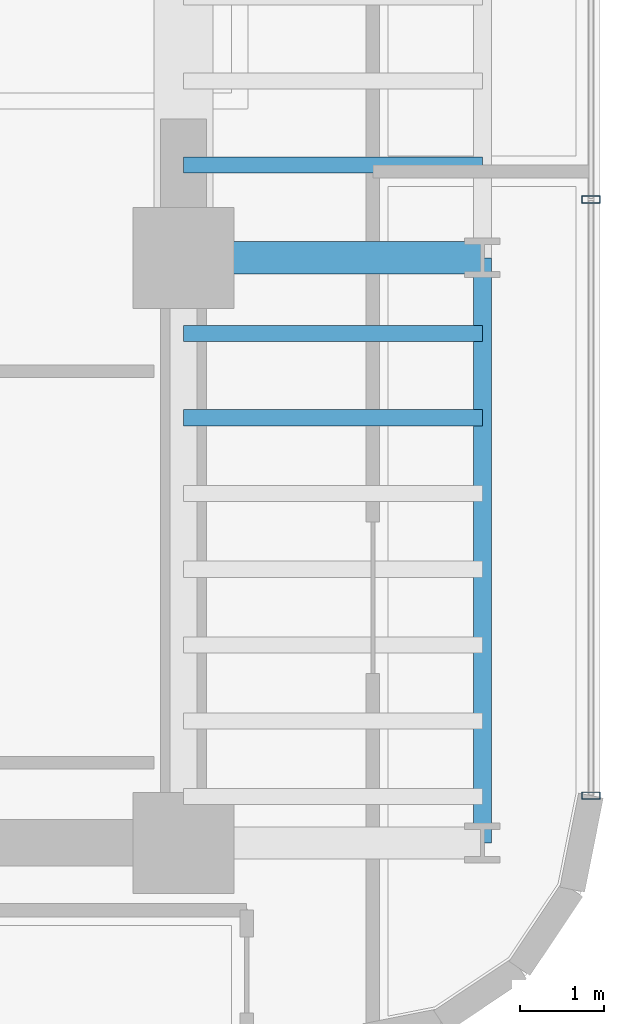
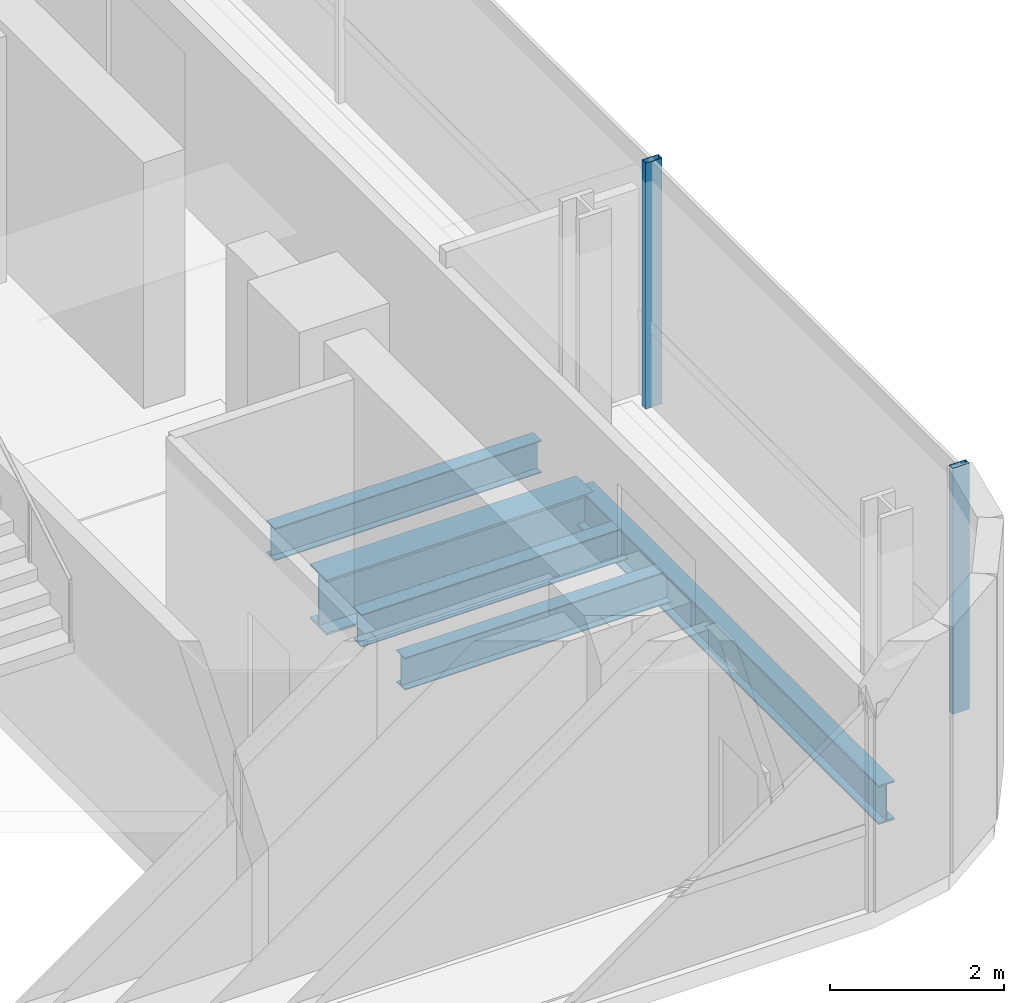
# One storey, part 14 of 34: 5 beams, 2 members, 1 element without a shape of its own.
"""IFC4 building model written with IfcOpenShell, lengths in metres."""

from ifc_helpers import new_model, si_unit, direction, frame, origin, origin_2d, place, context, subcontext, project, spatial, hollow_rectangle, i_section, extrude, source, transform, mapped, material, material_profile, profile_set, type_object, element, aggregate, save


model = new_model("IFC4")

# Units and contexts
model_context = context("Model", 3, precision=1e-05, world=origin(), true_north=direction((0.0, 1.0)))
body_context = subcontext(model_context, "Body", "Model", "MODEL_VIEW")
ifc_project = project(units=[si_unit("LENGTHUNIT", "METRE"), si_unit("AREAUNIT", "SQUARE_METRE"), si_unit("VOLUMEUNIT", "CUBIC_METRE"), si_unit("PLANEANGLEUNIT", "RADIAN"), si_unit("MASSUNIT", "GRAM", prefix="KILO")], contexts=[model_context])

# Site, building, storey
site_placement = place(None, origin())
site = spatial("IfcSite", under=ifc_project, at=site_placement, CompositionType="ELEMENT")
building_placement = place(site_placement, origin())
building = spatial("IfcBuilding", under=site, at=building_placement, Name="Valdorenza Pilgrim Sanctuary Tower", CompositionType="ELEMENT")
storey_placement = place(building_placement, frame((0.0, 0.0, 164.89990234375)))
storey = spatial("IfcBuildingStorey", under=building, at=storey_placement, Name="L42", CompositionType="ELEMENT", Elevation=164.89990234375)

# Beams
ifc_material_1 = material(Name="Steel ASTM A992 Grade 50", Category="steel")
ifc_material_profile_1 = material_profile(ifc_material_1, i_section(OverallWidth=0.214111328125, OverallDepth=0.549072265625, WebThickness=0.0146484375, FlangeThickness=0.023681640625, at=origin_2d()), Name="W21X93")
ifc_profile_set_1 = profile_set([ifc_material_profile_1], Name="Steel ASTM A992 Grade 50")
beam_type_1 = type_object("IfcBeamType", Name="STR-BM-SPN-W21A", PredefinedType="SPANDREL", material=ifc_profile_set_1)
shared_shape_1 = source(origin(), body_context, "Body", "SweptSolid", [
    extrude(i_section(OverallWidth=0.214111328125, OverallDepth=0.549072265625, WebThickness=0.0146484375, FlangeThickness=0.023681640625, at=origin_2d()), origin(), (0.0, 0.0, 1.0), 6.949951171875),
])
beam_1_placement = place(storey_placement, frame((28.39990234375, -9.550048828125, -0.514404296875), z_axis=(0.0, 1.0, 0.0), x_axis=(-1.0, 0.0, 0.0)))
element("IfcBeam", 1, at=beam_1_placement, inside=storey, type_object=beam_type_1, Name="L42 Spandrel Beam WB-E-S1M0", PredefinedType="SPANDREL", context=body_context, shape_type="MappedRepresentation", body=[
    mapped(shared_shape_1, transform((0.0, 0.0, 0.0), x_axis=(1.0, 0.0, 0.0), y_axis=(0.0, 1.0, 0.0), z_axis=(0.0, 0.0, 1.0), scale=1.0)),
])
ifc_material_profile_2 = material_profile(ifc_material_1, i_section(OverallWidth=0.382080078125, OverallDepth=0.779052734375, WebThickness=0.01806640625, FlangeThickness=0.030029296875, at=origin_2d()), Name="W30X191")
ifc_profile_set_2 = profile_set([ifc_material_profile_2], Name="Steel ASTM A992 Grade 50")
beam_type_2 = type_object("IfcBeamType", Name="STR-BM-GRD-W30", PredefinedType="BEAM", material=ifc_profile_set_2)
shared_shape_2 = source(origin(), body_context, "Body", "SweptSolid", [
    extrude(i_section(OverallWidth=0.382080078125, OverallDepth=0.779052734375, WebThickness=0.01806640625, FlangeThickness=0.030029296875, at=origin_2d()), origin(), (0.0, 0.0, 1.0), 3.5498046875),
])
beam_2_placement = place(storey_placement, frame((24.85009765625, -2.60009765625, -0.62939453125), z_axis=(1.0, 0.0, 0.0), x_axis=(0.0, 1.0, 0.0)))
element("IfcBeam", 2, at=beam_2_placement, inside=storey, type_object=beam_type_2, Name="L42 Floor Girder WB-XE-M0", PredefinedType="BEAM", context=body_context, shape_type="MappedRepresentation", body=[
    mapped(shared_shape_2, transform((0.0, 0.0, 0.0), x_axis=(1.0, 0.0, 0.0), y_axis=(0.0, 1.0, 0.0), z_axis=(0.0, 0.0, 1.0), scale=1.0)),
])
ifc_material_profile_3 = material_profile(ifc_material_1, i_section(OverallWidth=0.19091796875, OverallDepth=0.45703125, WebThickness=0.009033203125, FlangeThickness=0.014404296875, at=origin_2d()), Name="W18X50")
ifc_profile_set_3 = profile_set([ifc_material_profile_3], Name="Steel ASTM A992 Grade 50")
beam_type_3 = type_object("IfcBeamType", Name="STR-BM-JST-W18B", PredefinedType="JOIST", material=ifc_profile_set_3)
shared_shape_3 = source(origin(), body_context, "Body", "SweptSolid", [
    extrude(i_section(OverallWidth=0.19091796875, OverallDepth=0.45703125, WebThickness=0.009033203125, FlangeThickness=0.014404296875, at=origin_2d()), origin(), (0.0, 0.0, 1.0), 3.5498046875),
])
for number, where, z_axis, x_axis, name in (
    (3, (24.85009765625, -4.5, -0.468505859375), (1.0, 0.0, 0.0), (0.0, 1.0, 0.0), "L42 Composite Floor Joist JST-WB-6"),
    (4, (24.85009765625, -3.5, -0.468505859375), (1.0, 0.0, 0.0), (0.0, 1.0, 0.0), "L42 Composite Floor Joist JST-WB-7"),
    (5, (24.85009765625, -1.5, -0.468505859375), (1.0, 0.0, 0.0), (0.0, 1.0, 0.0), "L42 Composite Floor Joist JST-WB-8"),
):
    element("IfcBeam", number, at=place(storey_placement, frame(where, z_axis=z_axis, x_axis=x_axis)), inside=storey, type_object=beam_type_3, Name=name, PredefinedType="JOIST", context=body_context, shape_type="MappedRepresentation", body=[
        mapped(shared_shape_3, transform((0.0, 0.0, 0.0), x_axis=(1.0, 0.0, 0.0), y_axis=(0.0, 1.0, 0.0), z_axis=(0.0, 0.0, 1.0), scale=1.0)),
    ])

# Curtain wall, members
ifc_material_2 = material(Name="Curtain-wall IGU glazing", Category="glass")
curtain_wall_type = type_object("IfcCurtainWallType", Name="CW-SYS-03", PredefinedType="NOTDEFINED", material=ifc_material_2)
curtain_wall_placement = place(storey_placement, origin())
curtain_wall = element("IfcCurtainWall", 6, at=curtain_wall_placement, inside=storey, type_object=curtain_wall_type, Name="L42 Curtain Wall CW-L42-2-11", PredefinedType="NOTDEFINED")
ifc_material_3 = material(Name="Anodised aluminium AW-6060", Category="aluminium")
ifc_material_profile_4 = material_profile(ifc_material_3, hollow_rectangle(XDim=0.0849609375, YDim=0.219970703125, WallThickness=0.0048828125, at=origin_2d()), Name="ALU-M 220x85x5")
ifc_profile_set_4 = profile_set([ifc_material_profile_4], Name="Anodised aluminium AW-6060")
member_type = type_object("IfcMemberType", Name="CW-MUL-03", PredefinedType="MULLION", material=ifc_profile_set_4)
shared_shape_4 = source(origin(), body_context, "Body", "SweptSolid", [
    extrude(hollow_rectangle(XDim=0.0849609375, YDim=0.219970703125, WallThickness=0.0048828125, at=origin_2d()), origin(), (0.0, 0.0, 1.0), 3.460205078125),
])
member_1_placement = place(storey_placement, frame((29.68994140625, -1.908447265625, 0.0), z_axis=(0.0, 0.0, 1.0), x_axis=(0.0, -1.0, 0.0)))
member_1 = element("IfcMember", 7, at=member_1_placement, type_object=member_type, Name="CW-L42-2-11 Mullion 3", PredefinedType="MULLION", context=body_context, shape_type="MappedRepresentation", body=[
    mapped(shared_shape_4, transform((0.0, 0.0, 0.0), x_axis=(1.0, 0.0, 0.0), y_axis=(0.0, 1.0, 0.0), z_axis=(0.0, 0.0, 1.0), scale=1.0)),
])
member_2_placement = place(storey_placement, frame((29.68994140625, -8.9892578125, 0.0), z_axis=(0.0, 0.0, 1.0), x_axis=(0.0, -1.0, 0.0)))
member_2 = element("IfcMember", 8, at=member_2_placement, type_object=member_type, Name="CW-L42-2-11 Mullion 4", PredefinedType="MULLION", context=body_context, shape_type="MappedRepresentation", body=[
    mapped(shared_shape_4, transform((0.0, 0.0, 0.0), x_axis=(1.0, 0.0, 0.0), y_axis=(0.0, 1.0, 0.0), z_axis=(0.0, 0.0, 1.0), scale=1.0)),
])
aggregate(curtain_wall, [member_1, member_2])

save(model, "model.ifc")
